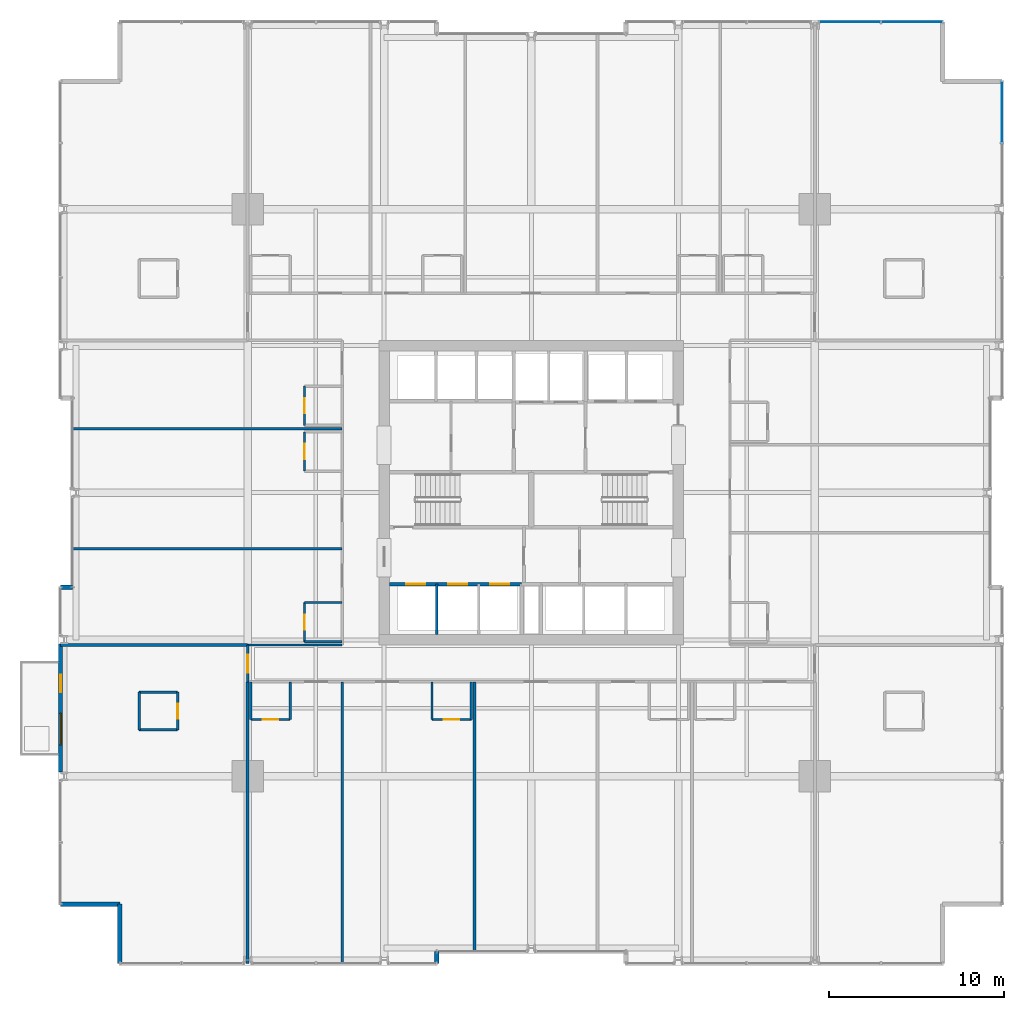
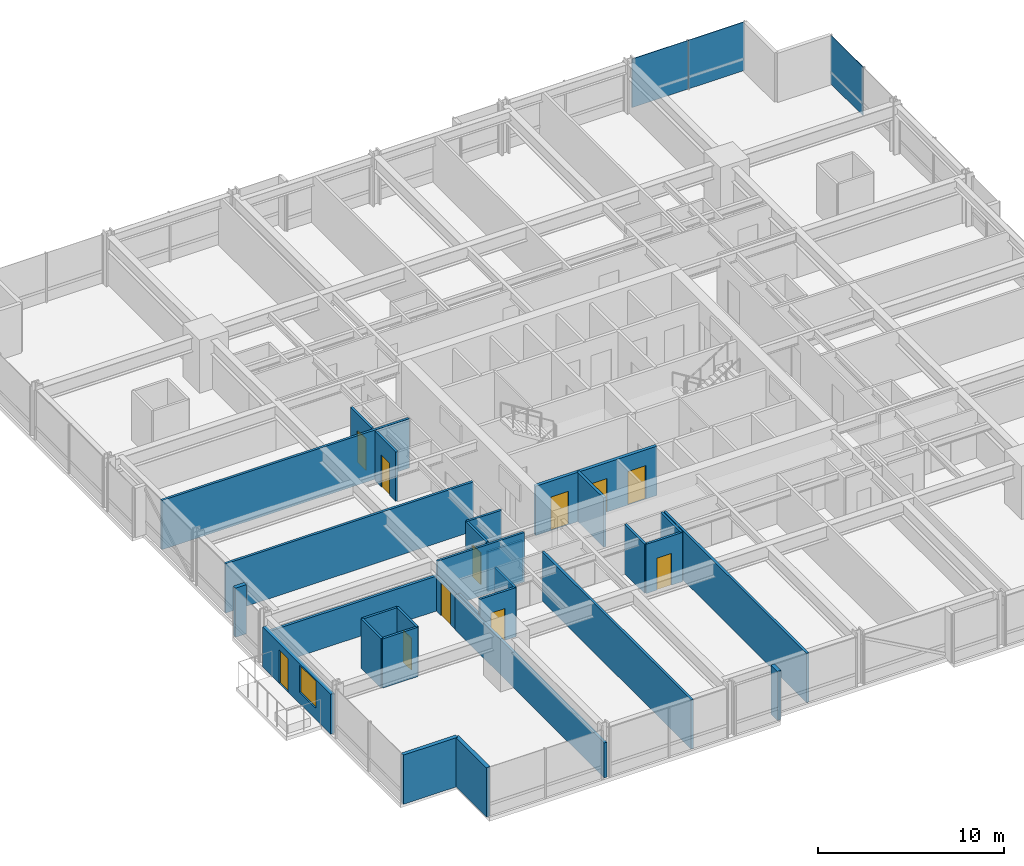
# One storey, part 30 of 38: 30 walls, 11 doors, 3 plates, 1 window, 12 openings, 2 elements without a shape of their own.
"""IFC4 building model written with IfcOpenShell, lengths in metres."""

from ifc_helpers import new_model, si_unit, direction, frame, frame_2d, origin, origin_2d, place, context, subcontext, project, spatial, rectangle, extrude, material, layer, layer_set, type_object, element, fill, aggregate, save


model = new_model("IFC4")

# Units and contexts
model_context = context("Model", 3, precision=1e-05, world=origin(), true_north=direction((0.0, 1.0)))
body_context = subcontext(model_context, "Body", "Model", "MODEL_VIEW")
ifc_project = project(units=[si_unit("LENGTHUNIT", "METRE"), si_unit("AREAUNIT", "SQUARE_METRE"), si_unit("VOLUMEUNIT", "CUBIC_METRE"), si_unit("PLANEANGLEUNIT", "RADIAN"), si_unit("MASSUNIT", "GRAM", prefix="KILO")], contexts=[model_context])

# Site, building, storey
site_placement = place(None, origin())
site = spatial("IfcSite", under=ifc_project, at=site_placement, CompositionType="ELEMENT")
building_placement = place(site_placement, origin())
building = spatial("IfcBuilding", under=site, at=building_placement, Name="Drelvath Grand Hotel", CompositionType="ELEMENT")
storey_placement = place(building_placement, frame((0.0, 0.0, 57.699951171875)))
storey = spatial("IfcBuildingStorey", under=building, at=storey_placement, Name="L13", CompositionType="ELEMENT", Elevation=57.699951171875)

# Curtain wall, plate
ifc_material_1 = material(Name="Warm Bronze Anodised Aluminium Frame", Category="aluminium")
ifc_layer_1 = layer(ifc_material_1, 0.199951171875)
ifc_layer_set_1 = layer_set([ifc_layer_1], Name="Warm Bronze Anodised Aluminium Frame")
curtain_wall_type = type_object("IfcCurtainWallType", Name="Stick Curtain Wall CW-02 Warm Bronze Low-Rise", PredefinedType="NOTDEFINED", material=ifc_layer_set_1)
curtain_wall_1_placement = place(storey_placement, origin())
curtain_wall_1 = element("IfcCurtainWall", 1, at=curtain_wall_1_placement, inside=storey, type_object=curtain_wall_type, Name="L13 CW-02 Curtain Wall CW02-L13-EN3", PredefinedType="NOTDEFINED")
ifc_material_2 = material(Name="Low-E Triple Silver Vision Glass Bronze Tint", Category="glass")
ifc_layer_2 = layer(ifc_material_2, 0.035888671875)
ifc_layer_set_2 = layer_set([ifc_layer_2], Name="Low-E Triple Silver Vision Glass Bronze Tint")
plate_type = type_object("IfcPlateType", Name="Curtain Wall Vision Panel CW-02 36mm", PredefinedType="CURTAIN_PANEL", material=ifc_layer_set_2)
plate_1_placement = place(storey_placement, frame((26.8798828125, 48.735107421875, 0.02001953125), z_axis=(0.0, 0.0, 1.0), x_axis=(0.0, -1.0, 0.0)))
plate_1 = element("IfcPlate", 2, at=plate_1_placement, type_object=plate_type, Name="CW02-L13-EN3 Glazed Panel 1", PredefinedType="CURTAIN_PANEL", context=body_context, shape_type="SweptSolid", body=[
    extrude(rectangle(XDim=3.489501953125, YDim=0.035888671875, at=origin_2d()), origin(), (0.0, 0.0, 1.0), 3.199951171875),
])
aggregate(curtain_wall_1, [plate_1])

# Curtain wall, plates
curtain_wall_2_placement = place(storey_placement, origin())
curtain_wall_2 = element("IfcCurtainWall", 3, at=curtain_wall_2_placement, inside=storey, type_object=curtain_wall_type, Name="L13 CW-02 Curtain Wall CW02-L13-NE3", PredefinedType="NOTDEFINED")
plate_2_placement = place(storey_placement, frame((18.205810546875, 53.8798828125, 0.02001953125), z_axis=(0.0, 0.0, 1.0), x_axis=(1.0, 0.0, 0.0)))
plate_2 = element("IfcPlate", 4, at=plate_2_placement, type_object=plate_type, Name="CW02-L13-NE3 Glazed Panel 1", PredefinedType="CURTAIN_PANEL", context=body_context, shape_type="SweptSolid", body=[
    extrude(rectangle(XDim=3.489501953125, YDim=0.035888671875, at=origin_2d()), origin(), (0.0, 0.0, 1.0), 3.199951171875),
])
plate_3_placement = place(storey_placement, frame((21.735107421875, 53.8798828125, 0.02001953125), z_axis=(0.0, 0.0, 1.0), x_axis=(1.0, 0.0, 0.0)))
plate_3 = element("IfcPlate", 5, at=plate_3_placement, type_object=plate_type, Name="CW02-L13-NE3 Glazed Panel 2", PredefinedType="CURTAIN_PANEL", context=body_context, shape_type="SweptSolid", body=[
    extrude(rectangle(XDim=3.489501953125, YDim=0.035888671875, at=origin_2d()), origin(), (0.0, 0.0, 1.0), 3.199951171875),
])
aggregate(curtain_wall_2, [plate_2, plate_3])

# Wall, openings, doors
ifc_material_3 = material(Name="Concrete C40/50", Category="concrete")
ifc_layer_3 = layer(ifc_material_3, 0.199951171875)
ifc_layer_set_3 = layer_set([ifc_layer_3], Name="Concrete C40/50")
wall_type_1 = type_object("IfcWallType", Name="Core Hoistway Fire Wall 200", PredefinedType="SOLIDWALL", material=ifc_layer_set_3)
wall_1_placement = place(storey_placement, frame((-0.550048828125, 21.780029296875, 0.0), z_axis=(0.0, 0.0, 1.0), x_axis=(-1.0, 0.0, 0.0)))
wall_1 = element("IfcWall", 6, at=wall_1_placement, inside=storey, type_object=wall_type_1, Name="L13 Bank 1 Hoistway Wall", PredefinedType="SOLIDWALL", context=body_context, shape_type="SweptSolid", body=[
    extrude(rectangle(XDim=7.550048828125, YDim=0.199951171875, at=frame_2d((3.77490234375, 0.0))), origin(), (0.0, 0.0, 1.0), 3.239990234375),
])
opening_1_placement = place(wall_1_placement, frame((5.5, 0.0, 0.0)))
opening_1 = element("IfcOpeningElement", 7, at=opening_1_placement, cuts=wall_1, Name="Opening LD-PE-1", PredefinedType="OPENING", context=body_context, shape_type="SweptSolid", body=[
    extrude(rectangle(XDim=1.10009765625, YDim=2.199951171875, at=frame_2d((0.550048828125, 1.10009765625))), frame((0.0, 0.10986328125, 0.0), z_axis=(0.0, -1.0, 0.0), x_axis=(1.0, 0.0, 0.0)), (0.0, 0.0, 1.0), 0.219970703125),
])
opening_2_placement = place(wall_1_placement, frame((3.10009765625, 0.0, 0.0)))
opening_2 = element("IfcOpeningElement", 8, at=opening_2_placement, cuts=wall_1, Name="Opening LD-PE-2", PredefinedType="OPENING", context=body_context, shape_type="SweptSolid", body=[
    extrude(rectangle(XDim=1.10009765625, YDim=2.199951171875, at=frame_2d((0.550048828125, 1.10009765625))), frame((0.0, 0.10986328125, 0.0), z_axis=(0.0, -1.0, 0.0), x_axis=(1.0, 0.0, 0.0)), (0.0, 0.0, 1.0), 0.219970703125),
])
opening_3_placement = place(wall_1_placement, frame((0.699951171875, 0.0, 0.0)))
opening_3 = element("IfcOpeningElement", 9, at=opening_3_placement, cuts=wall_1, Name="Opening LD-PE-3", PredefinedType="OPENING", context=body_context, shape_type="SweptSolid", body=[
    extrude(rectangle(XDim=1.10009765625, YDim=2.199951171875, at=frame_2d((0.550048828125, 1.10009765625))), frame((0.0, 0.10986328125, 0.0), z_axis=(0.0, -1.0, 0.0), x_axis=(1.0, 0.0, 0.0)), (0.0, 0.0, 1.0), 0.219970703125),
])
ifc_material_4 = material(Name="Stainless Steel S355", Category="steel")
door_type_1 = type_object("IfcDoorType", Name="Passenger Lift Sliding Landing Door 1100x2200", OperationType="NOTDEFINED", PredefinedType="DOOR", material=ifc_material_4)
door_1_placement = place(opening_1_placement, origin())
door_1 = element("IfcDoor", 10, at=door_1_placement, inside=storey, type_object=door_type_1, Name="L13 Lift PE-1 Landing Door", OperationType="SLIDING_TO_LEFT", OverallHeight=2.199951171875, OverallWidth=1.10009765625, PredefinedType="DOOR", context=body_context, shape_type="SweptSolid", body=[
    extrude(rectangle(XDim=1.10009765625, YDim=2.199951171875, at=frame_2d((0.550048828125, 1.10009765625))), frame((0.0, 0.02490234375, 0.0), z_axis=(0.0, -1.0, 0.0), x_axis=(1.0, 0.0, 0.0)), (0.0, 0.0, 1.0), 0.050048828125),
])
fill(opening_1, door_1)
door_2_placement = place(opening_2_placement, origin())
door_2 = element("IfcDoor", 11, at=door_2_placement, inside=storey, type_object=door_type_1, Name="L13 Lift PE-2 Landing Door", OperationType="SLIDING_TO_LEFT", OverallHeight=2.199951171875, OverallWidth=1.10009765625, PredefinedType="DOOR", context=body_context, shape_type="SweptSolid", body=[
    extrude(rectangle(XDim=1.10009765625, YDim=2.199951171875, at=frame_2d((0.550048828125, 1.10009765625))), frame((0.0, 0.02490234375, 0.0), z_axis=(0.0, -1.0, 0.0), x_axis=(1.0, 0.0, 0.0)), (0.0, 0.0, 1.0), 0.050048828125),
])
fill(opening_2, door_2)
door_3_placement = place(opening_3_placement, origin())
door_3 = element("IfcDoor", 12, at=door_3_placement, inside=storey, type_object=door_type_1, Name="L13 Lift PE-3 Landing Door", OperationType="SLIDING_TO_LEFT", OverallHeight=2.199951171875, OverallWidth=1.10009765625, PredefinedType="DOOR", context=body_context, shape_type="SweptSolid", body=[
    extrude(rectangle(XDim=1.10009765625, YDim=2.199951171875, at=frame_2d((0.550048828125, 1.10009765625))), frame((0.0, 0.02490234375, 0.0), z_axis=(0.0, -1.0, 0.0), x_axis=(1.0, 0.0, 0.0)), (0.0, 0.0, 1.0), 0.050048828125),
])
fill(opening_3, door_3)

# Walls
ifc_material_5 = material(Name="Gypsum Fireboard Partition")
ifc_layer_4 = layer(ifc_material_5, 0.1650390625)
ifc_layer_set_4 = layer_set([ifc_layer_4], Name="Gypsum Fireboard Partition")
wall_type_2 = type_object("IfcWallType", Name="Core Shaft Partition 165", PredefinedType="PARTITIONING", material=ifc_layer_set_4)
wall_2_placement = place(storey_placement, frame((-5.39990234375, 18.89990234375, 0.0), z_axis=(0.0, 0.0, 1.0), x_axis=(0.0, 1.0, 0.0)))
element("IfcWall", 13, at=wall_2_placement, inside=storey, type_object=wall_type_2, Name="L13 Lift PE-1/2 Divider", PredefinedType="PARTITIONING", context=body_context, shape_type="SweptSolid", body=[
    extrude(rectangle(XDim=2.880126953125, YDim=0.1650390625, at=frame_2d((1.43994140625, 0.0))), origin(), (0.0, 0.0, 1.0), 3.239990234375),
])
ifc_layer_5 = layer(ifc_material_5, 0.135009765625)
ifc_layer_set_5 = layer_set([ifc_layer_5], Name="Gypsum Fireboard Partition")
wall_type_3 = type_object("IfcWallType", Name="Corridor Fire Barrier Wall 135", PredefinedType="PARTITIONING", material=ifc_layer_set_5)
wall_3_placement = place(storey_placement, frame((-16.199951171875, 18.300048828125, 0.0), z_axis=(0.0, 0.0, 1.0), x_axis=(1.0, 0.0, 0.0)))
element("IfcWall", 14, at=wall_3_placement, inside=storey, type_object=wall_type_3, Name="L13 SW Spur Inner Wall", PredefinedType="PARTITIONING", context=body_context, shape_type="SweptSolid", body=[
    extrude(rectangle(XDim=5.39990234375, YDim=0.135009765625, at=frame_2d((2.699951171875, 0.0))), origin(), (0.0, 0.0, 1.0), 3.239990234375),
])

# Wall, opening, door
wall_4_placement = place(storey_placement, frame((-16.199951171875, 16.199951171875, 0.0), z_axis=(0.0, 0.0, 1.0), x_axis=(0.0, 1.0, 0.0)))
wall_4 = element("IfcWall", 15, at=wall_4_placement, inside=storey, type_object=wall_type_3, Name="L13 South Corridor West End", PredefinedType="PARTITIONING", context=body_context, shape_type="SweptSolid", body=[
    extrude(rectangle(XDim=2.10009765625, YDim=0.135009765625, at=frame_2d((1.050048828125, 0.0))), origin(), (0.0, 0.0, 1.0), 2.29833984375),
])
opening_4_placement = place(wall_4_placement, frame((0.52001953125, 0.0, 0.0)))
opening_4 = element("IfcOpeningElement", 16, at=opening_4_placement, cuts=wall_4, Name="Opening D-T1G3-018", PredefinedType="OPENING", context=body_context, shape_type="SweptSolid", body=[
    extrude(rectangle(XDim=1.02001953125, YDim=2.14990234375, at=frame_2d((0.510009765625, 1.074951171875))), frame((0.0, 0.077392578125, 0.0), z_axis=(0.0, -1.0, 0.0), x_axis=(1.0, 0.0, 0.0)), (0.0, 0.0, 1.0), 0.155029296875),
])
ifc_material_6 = material(Name="Hardwood Walnut Timber", Category="wood")
door_type_2 = type_object("IfcDoorType", Name="Amenity Meeting Fire Door 1020x2150", OperationType="NOTDEFINED", PredefinedType="DOOR", material=ifc_material_6)
door_4_placement = place(opening_4_placement, origin())
door_4 = element("IfcDoor", 17, at=door_4_placement, inside=storey, type_object=door_type_2, Name="L13 Corner Suite Entry Door", OperationType="SINGLE_SWING_LEFT", OverallHeight=2.14990234375, OverallWidth=1.02001953125, PredefinedType="DOOR", context=body_context, shape_type="SweptSolid", body=[
    extrude(rectangle(XDim=1.02001953125, YDim=2.14990234375, at=frame_2d((0.510009765625, 1.074951171875))), frame((0.0, 0.02490234375, 0.0), z_axis=(0.0, -1.0, 0.0), x_axis=(1.0, 0.0, 0.0)), (0.0, 0.0, 1.0), 0.050048828125),
])
fill(opening_4, door_4)

# Walls
ifc_material_7 = material(Name="Moisture-Resistant Gypsum Board")
ifc_layer_6 = layer(ifc_material_7, 0.139892578125)
ifc_layer_set_6 = layer_set([ifc_layer_6], Name="Moisture-Resistant Gypsum Board")
wall_type_4 = type_object("IfcWallType", Name="En-Suite Plumbing Wall 140", PredefinedType="PLUMBINGWALL", material=ifc_layer_set_6)
for number, where, z_axis, x_axis, name in (
    (18, (-22.39990234375, 13.4599609375, 0.0), (0.0, 0.0, 1.0), (1.0, 0.0, 0.0), "L13 Corner En-Suite South"),
    (19, (-22.39990234375, 15.610107421875, 0.0), (0.0, 0.0, 1.0), (1.0, 0.0, 0.0), "L13 Corner En-Suite North"),
):
    element("IfcWall", number, at=place(storey_placement, frame(where, z_axis=z_axis, x_axis=x_axis)), inside=storey, type_object=wall_type_4, Name=name, PredefinedType="PLUMBINGWALL", context=body_context, shape_type="SweptSolid", body=[
        extrude(rectangle(XDim=2.199951171875, YDim=0.139892578125, at=frame_2d((1.10009765625, 0.0))), origin(), (0.0, 0.0, 1.0), 3.239990234375),
    ])
wall_5_placement = place(storey_placement, frame((-22.39990234375, 13.4599609375, 0.0), z_axis=(0.0, 0.0, 1.0), x_axis=(0.0, 1.0, 0.0)))
element("IfcWall", 20, at=wall_5_placement, inside=storey, type_object=wall_type_4, Name="L13 Corner En-Suite West", PredefinedType="PLUMBINGWALL", context=body_context, shape_type="SweptSolid", body=[
    extrude(rectangle(XDim=2.150146484375, YDim=0.139892578125, at=frame_2d((1.0751953125, 0.0))), origin(), (0.0, 0.0, 1.0), 3.239990234375),
])

# Wall, opening, door
wall_6_placement = place(storey_placement, frame((-20.199951171875, 13.4599609375, 0.0), z_axis=(0.0, 0.0, 1.0), x_axis=(0.0, 1.0, 0.0)))
wall_6 = element("IfcWall", 21, at=wall_6_placement, inside=storey, type_object=wall_type_4, Name="L13 Corner En-Suite East", PredefinedType="PLUMBINGWALL", context=body_context, shape_type="SweptSolid", body=[
    extrude(rectangle(XDim=2.150146484375, YDim=0.139892578125, at=frame_2d((1.0751953125, 0.0))), origin(), (0.0, 0.0, 1.0), 3.239990234375),
])
opening_5_placement = place(wall_6_placement, frame((0.6201171875, 0.0, 0.0)))
opening_5 = element("IfcOpeningElement", 22, at=opening_5_placement, cuts=wall_6, Name="Opening D-T1G3-017", PredefinedType="OPENING", context=body_context, shape_type="SweptSolid", body=[
    extrude(rectangle(XDim=0.8798828125, YDim=2.10009765625, at=frame_2d((0.43994140625, 1.050048828125))), frame((0.0, 0.079833984375, 0.0), z_axis=(0.0, -1.0, 0.0), x_axis=(1.0, 0.0, 0.0)), (0.0, 0.0, 1.0), 0.159912109375),
])
door_type_3 = type_object("IfcDoorType", Name="En-Suite Bathroom Door 880x2100", OperationType="NOTDEFINED", PredefinedType="DOOR", material=ifc_material_6)
door_5_placement = place(opening_5_placement, origin())
door_5 = element("IfcDoor", 23, at=door_5_placement, inside=storey, type_object=door_type_3, Name="L13 Corner En-Suite Door", OperationType="SINGLE_SWING_RIGHT", OverallHeight=2.10009765625, OverallWidth=0.8798828125, PredefinedType="DOOR", context=body_context, shape_type="SweptSolid", body=[
    extrude(rectangle(XDim=0.8798828125, YDim=2.10009765625, at=frame_2d((0.43994140625, 1.050048828125))), frame((0.0, 0.02490234375, 0.0), z_axis=(0.0, -1.0, 0.0), x_axis=(1.0, 0.0, 0.0)), (0.0, 0.0, 1.0), 0.050048828125),
])
fill(opening_5, door_5)

# Walls
wall_7_placement = place(storey_placement, frame((-16.02001953125, 16.199951171875, 0.0), z_axis=(0.0, 0.0, 1.0), x_axis=(0.0, -1.0, 0.0)))
element("IfcWall", 24, at=wall_7_placement, inside=storey, type_object=wall_type_4, Name="L13 En-Suite Left Wall", PredefinedType="PLUMBINGWALL", context=body_context, shape_type="SweptSolid", body=[
    extrude(rectangle(XDim=2.14990234375, YDim=0.139892578125, at=frame_2d((1.074951171875, 0.0))), origin(), (0.0, 0.0, 1.0), 2.29833984375),
])
wall_8_placement = place(storey_placement, frame((-13.77001953125, 16.199951171875, 0.0), z_axis=(0.0, 0.0, 1.0), x_axis=(0.0, -1.0, 0.0)))
element("IfcWall", 25, at=wall_8_placement, inside=storey, type_object=wall_type_4, Name="L13 En-Suite Right Wall", PredefinedType="PLUMBINGWALL", context=body_context, shape_type="SweptSolid", body=[
    extrude(rectangle(XDim=2.14990234375, YDim=0.139892578125, at=frame_2d((1.074951171875, 0.0))), origin(), (0.0, 0.0, 1.0), 3.239990234375),
])

# Wall, opening, door
wall_9_placement = place(storey_placement, frame((-16.02001953125, 14.050048828125, 0.0), z_axis=(0.0, 0.0, 1.0), x_axis=(1.0, 0.0, 0.0)))
wall_9 = element("IfcWall", 26, at=wall_9_placement, inside=storey, type_object=wall_type_4, Name="L13 En-Suite Front Wall", PredefinedType="PLUMBINGWALL", context=body_context, shape_type="SweptSolid", body=[
    extrude(rectangle(XDim=2.25, YDim=0.139892578125, at=frame_2d((1.125, 0.0))), origin(), (0.0, 0.0, 1.0), 3.239990234375),
])
opening_6_placement = place(wall_9_placement, frame((0.68505859375, 0.0, 0.0)))
opening_6 = element("IfcOpeningElement", 27, at=opening_6_placement, cuts=wall_9, Name="Opening D-T1G3-025", PredefinedType="OPENING", context=body_context, shape_type="SweptSolid", body=[
    extrude(rectangle(XDim=0.8798828125, YDim=2.10009765625, at=frame_2d((0.43994140625, 1.050048828125))), frame((0.0, 0.079833984375, 0.0), z_axis=(0.0, -1.0, 0.0), x_axis=(1.0, 0.0, 0.0)), (0.0, 0.0, 1.0), 0.159912109375),
])
door_6_placement = place(opening_6_placement, origin())
door_6 = element("IfcDoor", 28, at=door_6_placement, inside=storey, type_object=door_type_3, Name="L13 En-Suite Bathroom Door", OperationType="SINGLE_SWING_RIGHT", OverallHeight=2.10009765625, OverallWidth=0.8798828125, PredefinedType="DOOR", context=body_context, shape_type="SweptSolid", body=[
    extrude(rectangle(XDim=0.8798828125, YDim=2.10009765625, at=frame_2d((0.43994140625, 1.050048828125))), frame((0.0, 0.02490234375, 0.0), z_axis=(0.0, -1.0, 0.0), x_axis=(1.0, 0.0, 0.0)), (0.0, 0.0, 1.0), 0.050048828125),
])
fill(opening_6, door_6)

# Walls
for number, where, z_axis, x_axis, name in (
    (29, (-5.669921875, 16.199951171875, 0.0), (0.0, 0.0, 1.0), (0.0, -1.0, 0.0), "L13 En-Suite Left Wall"),
    (30, (-3.419921875, 16.199951171875, 0.0), (0.0, 0.0, 1.0), (0.0, -1.0, 0.0), "L13 En-Suite Right Wall"),
):
    element("IfcWall", number, at=place(storey_placement, frame(where, z_axis=z_axis, x_axis=x_axis)), inside=storey, type_object=wall_type_4, Name=name, PredefinedType="PLUMBINGWALL", context=body_context, shape_type="SweptSolid", body=[
        extrude(rectangle(XDim=2.14990234375, YDim=0.139892578125, at=frame_2d((1.074951171875, 0.0))), origin(), (0.0, 0.0, 1.0), 3.239990234375),
    ])

# Wall, opening, door
wall_10_placement = place(storey_placement, frame((-5.669921875, 14.050048828125, 0.0), z_axis=(0.0, 0.0, 1.0), x_axis=(1.0, 0.0, 0.0)))
wall_10 = element("IfcWall", 31, at=wall_10_placement, inside=storey, type_object=wall_type_4, Name="L13 En-Suite Front Wall", PredefinedType="PLUMBINGWALL", context=body_context, shape_type="SweptSolid", body=[
    extrude(rectangle(XDim=2.25, YDim=0.139892578125, at=frame_2d((1.125, 0.0))), origin(), (0.0, 0.0, 1.0), 3.239990234375),
])
opening_7_placement = place(wall_10_placement, frame((0.68505859375, 0.0, 0.0)))
opening_7 = element("IfcOpeningElement", 32, at=opening_7_placement, cuts=wall_10, Name="Opening D-T1G3-027", PredefinedType="OPENING", context=body_context, shape_type="SweptSolid", body=[
    extrude(rectangle(XDim=0.8798828125, YDim=2.10009765625, at=frame_2d((0.43994140625, 1.050048828125))), frame((0.0, 0.079833984375, 0.0), z_axis=(0.0, -1.0, 0.0), x_axis=(1.0, 0.0, 0.0)), (0.0, 0.0, 1.0), 0.159912109375),
])
door_7_placement = place(opening_7_placement, origin())
door_7 = element("IfcDoor", 33, at=door_7_placement, inside=storey, type_object=door_type_3, Name="L13 En-Suite Bathroom Door", OperationType="SINGLE_SWING_RIGHT", OverallHeight=2.10009765625, OverallWidth=0.8798828125, PredefinedType="DOOR", context=body_context, shape_type="SweptSolid", body=[
    extrude(rectangle(XDim=0.8798828125, YDim=2.10009765625, at=frame_2d((0.43994140625, 1.050048828125))), frame((0.0, 0.02490234375, 0.0), z_axis=(0.0, -1.0, 0.0), x_axis=(1.0, 0.0, 0.0)), (0.0, 0.0, 1.0), 0.050048828125),
])
fill(opening_7, door_7)

# Walls
wall_11_placement = place(storey_placement, frame((-10.800048828125, 18.47998046875, 0.0), z_axis=(0.0, 0.0, 1.0), x_axis=(-1.0, 0.0, 0.0)))
element("IfcWall", 34, at=wall_11_placement, inside=storey, type_object=wall_type_4, Name="L13 En-Suite Left Wall", PredefinedType="PLUMBINGWALL", context=body_context, shape_type="SweptSolid", body=[
    extrude(rectangle(XDim=2.14990234375, YDim=0.139892578125, at=frame_2d((1.074951171875, 0.0))), origin(), (0.0, 0.0, 1.0), 2.617431640625),
])
wall_12_placement = place(storey_placement, frame((-10.800048828125, 20.72998046875, 0.0), z_axis=(0.0, 0.0, 1.0), x_axis=(-1.0, 0.0, 0.0)))
element("IfcWall", 35, at=wall_12_placement, inside=storey, type_object=wall_type_4, Name="L13 En-Suite Right Wall", PredefinedType="PLUMBINGWALL", context=body_context, shape_type="SweptSolid", body=[
    extrude(rectangle(XDim=2.14990234375, YDim=0.139892578125, at=frame_2d((1.074951171875, 0.0))), origin(), (0.0, 0.0, 1.0), 3.239990234375),
])

# Wall, opening, door
wall_13_placement = place(storey_placement, frame((-12.949951171875, 18.47998046875, 0.0), z_axis=(0.0, 0.0, 1.0), x_axis=(0.0, 1.0, 0.0)))
wall_13 = element("IfcWall", 36, at=wall_13_placement, inside=storey, type_object=wall_type_4, Name="L13 En-Suite Front Wall", PredefinedType="PLUMBINGWALL", context=body_context, shape_type="SweptSolid", body=[
    extrude(rectangle(XDim=2.25, YDim=0.139892578125, at=frame_2d((1.125, 0.0))), origin(), (0.0, 0.0, 1.0), 3.239990234375),
])
opening_8_placement = place(wall_13_placement, frame((0.68505859375, 0.0, 0.0)))
opening_8 = element("IfcOpeningElement", 37, at=opening_8_placement, cuts=wall_13, Name="Opening D-T1G3-043", PredefinedType="OPENING", context=body_context, shape_type="SweptSolid", body=[
    extrude(rectangle(XDim=0.8798828125, YDim=2.10009765625, at=frame_2d((0.43994140625, 1.050048828125))), frame((0.0, 0.079833984375, 0.0), z_axis=(0.0, -1.0, 0.0), x_axis=(1.0, 0.0, 0.0)), (0.0, 0.0, 1.0), 0.159912109375),
])
door_8_placement = place(opening_8_placement, origin())
door_8 = element("IfcDoor", 38, at=door_8_placement, inside=storey, type_object=door_type_3, Name="L13 En-Suite Bathroom Door", OperationType="SINGLE_SWING_RIGHT", OverallHeight=2.10009765625, OverallWidth=0.8798828125, PredefinedType="DOOR", context=body_context, shape_type="SweptSolid", body=[
    extrude(rectangle(XDim=0.8798828125, YDim=2.10009765625, at=frame_2d((0.43994140625, 1.050048828125))), frame((0.0, 0.02490234375, 0.0), z_axis=(0.0, -1.0, 0.0), x_axis=(1.0, 0.0, 0.0)), (0.0, 0.0, 1.0), 0.050048828125),
])
fill(opening_8, door_8)

wall_14_placement = place(storey_placement, frame((-12.949951171875, 28.233154296875, 0.0), z_axis=(0.0, 0.0, 1.0), x_axis=(0.0, 1.0, 0.0)))
wall_14 = element("IfcWall", 39, at=wall_14_placement, inside=storey, type_object=wall_type_4, Name="L13 En-Suite Front Wall", PredefinedType="PLUMBINGWALL", context=body_context, shape_type="SweptSolid", body=[
    extrude(rectangle(XDim=2.25, YDim=0.139892578125, at=frame_2d((1.125, 0.0))), origin(), (0.0, 0.0, 1.0), 3.239990234375),
])
opening_9_placement = place(wall_14_placement, frame((0.68505859375, 0.0, 0.0)))
opening_9 = element("IfcOpeningElement", 40, at=opening_9_placement, cuts=wall_14, Name="Opening D-T1G3-045", PredefinedType="OPENING", context=body_context, shape_type="SweptSolid", body=[
    extrude(rectangle(XDim=0.8798828125, YDim=2.10009765625, at=frame_2d((0.43994140625, 1.050048828125))), frame((0.0, 0.079833984375, 0.0), z_axis=(0.0, -1.0, 0.0), x_axis=(1.0, 0.0, 0.0)), (0.0, 0.0, 1.0), 0.159912109375),
])
door_9_placement = place(opening_9_placement, origin())
door_9 = element("IfcDoor", 41, at=door_9_placement, inside=storey, type_object=door_type_3, Name="L13 En-Suite Bathroom Door", OperationType="SINGLE_SWING_RIGHT", OverallHeight=2.10009765625, OverallWidth=0.8798828125, PredefinedType="DOOR", context=body_context, shape_type="SweptSolid", body=[
    extrude(rectangle(XDim=0.8798828125, YDim=2.10009765625, at=frame_2d((0.43994140625, 1.050048828125))), frame((0.0, 0.02490234375, 0.0), z_axis=(0.0, -1.0, 0.0), x_axis=(1.0, 0.0, 0.0)), (0.0, 0.0, 1.0), 0.050048828125),
])
fill(opening_9, door_9)

wall_15_placement = place(storey_placement, frame((-12.949951171875, 30.84326171875, 0.0), z_axis=(0.0, 0.0, 1.0), x_axis=(0.0, 1.0, 0.0)))
wall_15 = element("IfcWall", 42, at=wall_15_placement, inside=storey, type_object=wall_type_4, Name="L13 En-Suite Front Wall", PredefinedType="PLUMBINGWALL", context=body_context, shape_type="SweptSolid", body=[
    extrude(rectangle(XDim=2.25, YDim=0.139892578125, at=frame_2d((1.125, 0.0))), origin(), (0.0, 0.0, 1.0), 3.239990234375),
])
opening_10_placement = place(wall_15_placement, frame((0.68505859375, 0.0, 0.0)))
opening_10 = element("IfcOpeningElement", 43, at=opening_10_placement, cuts=wall_15, Name="Opening D-T1G3-047", PredefinedType="OPENING", context=body_context, shape_type="SweptSolid", body=[
    extrude(rectangle(XDim=0.8798828125, YDim=2.10009765625, at=frame_2d((0.43994140625, 1.050048828125))), frame((0.0, 0.079833984375, 0.0), z_axis=(0.0, -1.0, 0.0), x_axis=(1.0, 0.0, 0.0)), (0.0, 0.0, 1.0), 0.159912109375),
])
door_10_placement = place(opening_10_placement, origin())
door_10 = element("IfcDoor", 44, at=door_10_placement, inside=storey, type_object=door_type_3, Name="L13 En-Suite Bathroom Door", OperationType="SINGLE_SWING_RIGHT", OverallHeight=2.10009765625, OverallWidth=0.8798828125, PredefinedType="DOOR", context=body_context, shape_type="SweptSolid", body=[
    extrude(rectangle(XDim=0.8798828125, YDim=2.10009765625, at=frame_2d((0.43994140625, 1.050048828125))), frame((0.0, 0.02490234375, 0.0), z_axis=(0.0, -1.0, 0.0), x_axis=(1.0, 0.0, 0.0)), (0.0, 0.0, 1.0), 0.050048828125),
])
fill(opening_10, door_10)

# Walls
ifc_material_8 = material(Name="Gypsum Acoustic Partition")
ifc_layer_7 = layer(ifc_material_8, 0.14990234375)
ifc_layer_set_7 = layer_set([ifc_layer_7], Name="Gypsum Acoustic Partition")
wall_type_5 = type_object("IfcWallType", Name="Guestroom Demising Wall 150", PredefinedType="PARTITIONING", material=ifc_layer_set_7)
wall_16_placement = place(storey_placement, frame((-10.800048828125, 0.1201171875, 0.0), z_axis=(0.0, 0.0, 1.0), x_axis=(0.0, 1.0, 0.0)))
element("IfcWall", 45, at=wall_16_placement, inside=storey, type_object=wall_type_5, Name="L13 South Demising 1", PredefinedType="PARTITIONING", context=body_context, shape_type="SweptSolid", body=[
    extrude(rectangle(XDim=16.079833984375, YDim=0.14990234375, at=frame_2d((8.0400390625, 0.0))), origin(), (0.0, 0.0, 1.0), 3.239990234375),
])
for number, where, z_axis, x_axis, name in (
    (46, (-3.239990234375, 0.800048828125, 0.0), (0.0, 0.0, 1.0), (0.0, 1.0, 0.0), "L13 South Demising 2"),
    (47, (-26.199951171875, 23.794677734375, 0.0), (0.0, 0.0, 1.0), (1.0, 0.0, 0.0), "L13 West Demising 1"),
    (48, (-26.199951171875, 30.6630859375, 0.0), (0.0, 0.0, 1.0), (1.0, 0.0, 0.0), "L13 West Demising 2"),
):
    element("IfcWall", number, at=place(storey_placement, frame(where, z_axis=z_axis, x_axis=x_axis)), inside=storey, type_object=wall_type_5, Name=name, PredefinedType="PARTITIONING", context=body_context, shape_type="SweptSolid", body=[
        extrude(rectangle(XDim=15.39990234375, YDim=0.14990234375, at=frame_2d((7.699951171875, 0.0))), origin(), (0.0, 0.0, 1.0), 3.239990234375),
    ])
ifc_layer_8 = layer(ifc_material_8, 0.1650390625)
ifc_layer_set_8 = layer_set([ifc_layer_8], Name="Gypsum Acoustic Partition")
wall_type_6 = type_object("IfcWallType", Name="Suite Demising Wall 165", PredefinedType="PARTITIONING", material=ifc_layer_set_8)
wall_17_placement = place(storey_placement, frame((-16.199951171875, 0.1201171875, 0.0), z_axis=(0.0, 0.0, 1.0), x_axis=(0.0, 1.0, 0.0)))
element("IfcWall", 49, at=wall_17_placement, inside=storey, type_object=wall_type_6, Name="L13 SW Wing Boundary Wall", PredefinedType="PARTITIONING", context=body_context, shape_type="SweptSolid", body=[
    extrude(rectangle(XDim=16.079833984375, YDim=0.1650390625, at=frame_2d((8.0400390625, 0.0))), origin(), (0.0, 0.0, 1.0), 2.29833984375),
])
wall_18_placement = place(storey_placement, frame((-26.8798828125, 18.300048828125, 0.0), z_axis=(0.0, 0.0, 1.0), x_axis=(1.0, 0.0, 0.0)))
element("IfcWall", 50, at=wall_18_placement, inside=storey, type_object=wall_type_6, Name="L13 SW Corner North Wall", PredefinedType="PARTITIONING", context=body_context, shape_type="SweptSolid", body=[
    extrude(rectangle(XDim=10.679931640625, YDim=0.1650390625, at=frame_2d((5.33984375, 0.0))), origin(), (0.0, 0.0, 1.0), 2.29833984375),
])

# Wall, openings, window, door
ifc_material_9 = material(Name="Pale-Metal Insulated Aluminium Spandrel Assembly", Category="aluminium")
ifc_layer_9 = layer(ifc_material_9, 0.239990234375)
ifc_layer_set_9 = layer_set([ifc_layer_9], Name="Pale-Metal Insulated Aluminium Spandrel Assembly")
wall_type_7 = type_object("IfcWallType", Name="Tower Insulated Metal Spandrel Closure Wall 240", PredefinedType="STANDARD", material=ifc_layer_set_9)
wall_19_placement = place(storey_placement, frame((-26.8798828125, 11.041015625, 0.0), z_axis=(0.0, 0.0, 1.0), x_axis=(0.0, 1.0, 0.0)))
wall_19 = element("IfcWall", 51, at=wall_19_placement, inside=storey, type_object=wall_type_7, Name="L13 Exterior Terrace Door Bay Wall WS2", PredefinedType="STANDARD", context=body_context, shape_type="SweptSolid", body=[
    extrude(rectangle(XDim=7.318115234375, YDim=0.239990234375, at=frame_2d((3.6591796875, 0.0))), origin(), (0.0, 0.0, 1.0), 2.629150390625),
])
opening_11_placement = place(wall_19_placement, frame((4.55908203125, 0.0, 0.0)))
opening_11 = element("IfcOpeningElement", 52, at=opening_11_placement, cuts=wall_19, Name="Opening TD-1000", PredefinedType="OPENING", context=body_context, shape_type="SweptSolid", body=[
    extrude(rectangle(XDim=1.0, YDim=2.199951171875, at=frame_2d((0.5, 1.10009765625))), frame((0.0, 0.1298828125, 0.0), z_axis=(0.0, -1.0, 0.0), x_axis=(1.0, 0.0, 0.0)), (0.0, 0.0, 1.0), 0.260009765625),
])
opening_12_placement = place(wall_19_placement, frame((1.552490234375, 0.0, 0.75)))
opening_12 = element("IfcOpeningElement", 53, at=opening_12_placement, cuts=wall_19, Name="Opening W-02", PredefinedType="OPENING", context=body_context, shape_type="SweptSolid", body=[
    extrude(rectangle(XDim=1.800048828125, YDim=1.779052734375, at=frame_2d((0.89990234375, 0.8896484375))), frame((0.0, 0.1298828125, 0.0), z_axis=(0.0, -1.0, 0.0), x_axis=(1.0, 0.0, 0.0)), (0.0, 0.0, 1.0), 0.260009765625),
])
ifc_material_10 = material(Name="Bronze Anodised Low-E Triple Glazing", Category="glass")
window_type = type_object("IfcWindowType", Name="Chicago Double-Pane Podium Window 1800x2400", PartitioningType="DOUBLE_PANEL_VERTICAL", PredefinedType="WINDOW", material=ifc_material_10)
window_placement = place(opening_12_placement, origin())
window = element("IfcWindow", 54, at=window_placement, inside=storey, type_object=window_type, Name="L13 Terrace Bay Companion Window WS2", OverallHeight=1.779052734375, OverallWidth=1.800048828125, PartitioningType="SINGLE_PANEL", PredefinedType="WINDOW", context=body_context, shape_type="SweptSolid", body=[
    extrude(rectangle(XDim=1.800048828125, YDim=1.779052734375, at=frame_2d((0.89990234375, 0.8896484375))), frame((0.0, 0.030029296875, 0.0), z_axis=(0.0, -1.0, 0.0), x_axis=(1.0, 0.0, 0.0)), (0.0, 0.0, 1.0), 0.06005859375),
])
fill(opening_12, window)
ifc_material_11 = material(Name="Anodised Aluminium Thermally Broken Glazed Door", Category="aluminium")
door_type_4 = type_object("IfcDoorType", Name="Terrace and Tree Balcony Glazed Door 1000x2200", OperationType="NOTDEFINED", PredefinedType="DOOR", material=ifc_material_11)
door_11_placement = place(opening_11_placement, origin())
door_11 = element("IfcDoor", 55, at=door_11_placement, inside=storey, type_object=door_type_4, Name="L13 Tree Balcony Door DOOR-L13-TBAL-1", OperationType="SINGLE_SWING_RIGHT", OverallHeight=2.199951171875, OverallWidth=1.0, PredefinedType="DOOR", context=body_context, shape_type="SweptSolid", body=[
    extrude(rectangle(XDim=1.0, YDim=2.199951171875, at=frame_2d((0.5, 1.10009765625))), frame((0.0, 0.02490234375, 0.0), z_axis=(0.0, -1.0, 0.0), x_axis=(1.0, 0.0, 0.0)), (0.0, 0.0, 1.0), 0.050048828125),
])
fill(opening_11, door_11)

# Walls
for number, where, z_axis, x_axis, name in (
    (56, (-23.5, 0.1201171875, 0.0), (0.0, 0.0, 1.0), (0.0, 1.0, 0.0), "L13 Notched Corner Return Spandrel Wall CSW1"),
    (57, (-23.5, 3.5, 0.0), (0.0, 0.0, 1.0), (-1.0, 0.0, 0.0), "L13 Notched Corner Return Spandrel Wall CSW2"),
):
    element("IfcWall", number, at=place(storey_placement, frame(where, z_axis=z_axis, x_axis=x_axis)), inside=storey, type_object=wall_type_7, Name=name, PredefinedType="STANDARD", context=body_context, shape_type="SweptSolid", body=[
        extrude(rectangle(XDim=3.3798828125, YDim=0.239990234375, at=frame_2d((1.68994140625, 0.0))), origin(), (0.0, 0.0, 1.0), 3.239990234375),
    ])
for number, where, z_axis, x_axis, name in (
    (58, (-26.8798828125, 21.60009765625, 0.0), (0.0, 0.0, 1.0), (1.0, 0.0, 0.0), "L13 Notched Corner Return Spandrel Wall RW1"),
    (59, (-5.39990234375, 0.800048828125, 0.0), (0.0, 0.0, 1.0), (0.0, -1.0, 0.0), "L13 Notched Corner Return Spandrel Wall RS2"),
):
    element("IfcWall", number, at=place(storey_placement, frame(where, z_axis=z_axis, x_axis=x_axis)), inside=storey, type_object=wall_type_7, Name=name, PredefinedType="STANDARD", context=body_context, shape_type="SweptSolid", body=[
        extrude(rectangle(XDim=0.679931640625, YDim=0.239990234375, at=frame_2d((0.33984375, 0.0))), origin(), (0.0, 0.0, 1.0), 3.239990234375),
    ])

save(model, "model.ifc")
